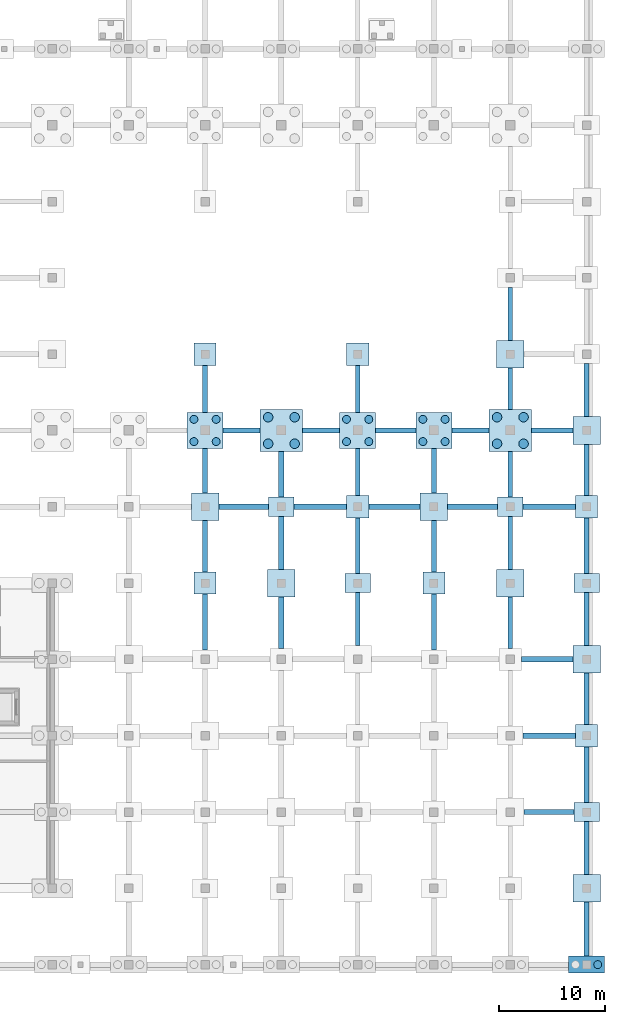
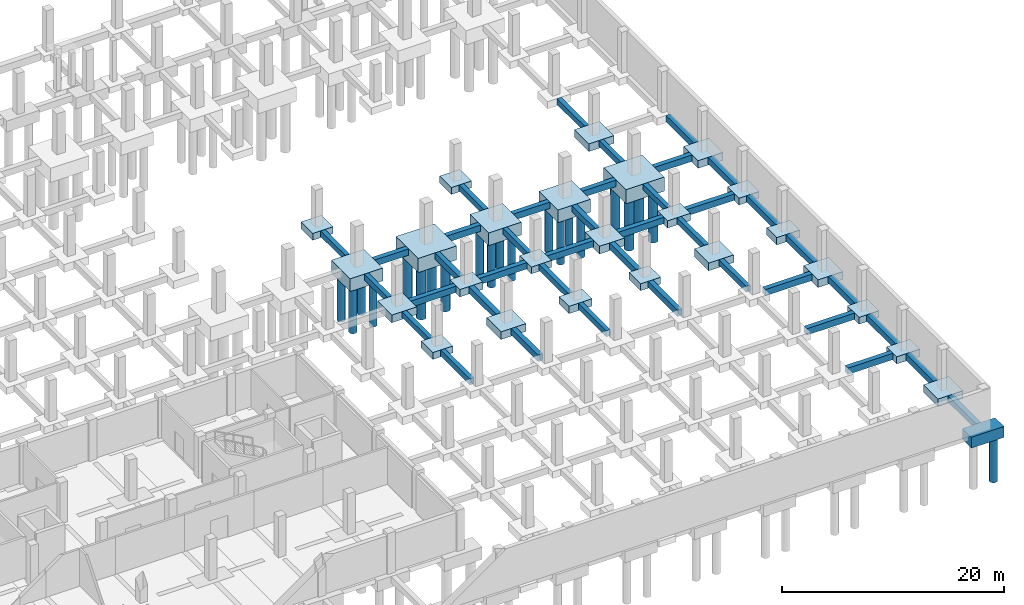
# One storey, part 12 of 22: 66 footings, 21 piles.
"""IFC4 building model written with IfcOpenShell, lengths in metres."""

from ifc_helpers import new_model, si_unit, direction, frame, origin, origin_2d, place, context, subcontext, project, spatial, polyline, rectangle, circle, outline, extrude, material, material_profile, profile_set, type_object, element, save


model = new_model("IFC4")

# Units and contexts
model_context = context("Model", 3, precision=1e-05, world=origin(), true_north=direction((0.0, 1.0)))
body_context = subcontext(model_context, "Body", "Model", "MODEL_VIEW")
ifc_project = project(units=[si_unit("LENGTHUNIT", "METRE"), si_unit("AREAUNIT", "SQUARE_METRE"), si_unit("VOLUMEUNIT", "CUBIC_METRE"), si_unit("PLANEANGLEUNIT", "RADIAN"), si_unit("MASSUNIT", "GRAM", prefix="KILO")], contexts=[model_context])

# Site, building, storey
site_placement = place(None, origin())
site = spatial("IfcSite", under=ifc_project, at=site_placement, CompositionType="ELEMENT")
building_placement = place(site_placement, origin())
building = spatial("IfcBuilding", under=site, at=building_placement, Name="Sardonyx Promenade Sports Hall", CompositionType="ELEMENT")
storey_placement = place(building_placement, frame((0.0, 0.0, -4.5)))
storey = spatial("IfcBuildingStorey", under=building, at=storey_placement, Name="B1", CompositionType="ELEMENT", Elevation=-4.5)

# Footings
ifc_material_1 = material(Name="Concrete C40/50", Category="concrete")
footing_type_1 = type_object("IfcFootingType", Name="Cap_2P_750", PredefinedType="PILE_CAP", material=ifc_material_1)
footing_1_placement = place(storey_placement, frame((165.60009765625, 0.0, -1.2001953125), z_axis=(0.0, 0.0, 1.0), x_axis=(1.0, 0.0, 0.0)))
element("IfcFooting", 1, at=footing_1_placement, inside=storey, type_object=footing_type_1, Name="Pile cap PC02 at (165.60, 0.00)", PredefinedType="PILE_CAP", context=body_context, shape_type="SweptSolid", body=[
    extrude(rectangle(XDim=3.39990234375, YDim=1.60009765625, at=origin_2d()), origin(), (0.0, 0.0, 1.0), 1.199951171875),
])
ifc_material_2 = material(Name="Concrete C40/50", Category="concrete")
footing_type_2 = type_object("IfcFootingType", Name="Cap_4P_750", PredefinedType="PILE_CAP", material=ifc_material_2)
for number, where, z_axis, x_axis, name in (
    (2, (129.60009765625, 50.39990234375, -1.39990234375), (0.0, 0.0, 1.0), (1.0, 0.0, 0.0), "Pile cap PC04 at (129.60, 50.40)"),
    (3, (144.0, 50.39990234375, -1.39990234375), (0.0, 0.0, 1.0), (1.0, 0.0, 0.0), "Pile cap PC04 at (144.00, 50.40)"),
    (4, (151.199951171875, 50.39990234375, -1.39990234375), (0.0, 0.0, 1.0), (1.0, 0.0, 0.0), "Pile cap PC04 at (151.20, 50.40)"),
):
    element("IfcFooting", number, at=place(storey_placement, frame(where, z_axis=z_axis, x_axis=x_axis)), inside=storey, type_object=footing_type_2, Name=name, PredefinedType="PILE_CAP", context=body_context, shape_type="SweptSolid", body=[
        extrude(rectangle(XDim=3.39990234375, YDim=3.39990234375, at=origin_2d()), origin(), (0.0, 0.0, 1.0), 1.39990234375),
    ])
ifc_material_3 = material(Name="Concrete C40/50", Category="concrete")
footing_type_3 = type_object("IfcFootingType", Name="Cap_4P_900", PredefinedType="PILE_CAP", material=ifc_material_3)
for number, where, z_axis, x_axis, name in (
    (5, (136.800048828125, 50.39990234375, -1.5498046875), (0.0, 0.0, 1.0), (1.0, 0.0, 0.0), "Pile cap PC03 at (136.80, 50.40)"),
    (6, (158.39990234375, 50.39990234375, -1.5498046875), (0.0, 0.0, 1.0), (1.0, 0.0, 0.0), "Pile cap PC03 at (158.40, 50.40)"),
):
    element("IfcFooting", number, at=place(storey_placement, frame(where, z_axis=z_axis, x_axis=x_axis)), inside=storey, type_object=footing_type_3, Name=name, PredefinedType="PILE_CAP", context=body_context, shape_type="SweptSolid", body=[
        extrude(rectangle(XDim=4.0, YDim=4.0, at=origin_2d()), origin(), (0.0, 0.0, 1.0), 1.550048828125),
    ])
ifc_material_4 = material(Name="Concrete C40/50", Category="concrete")
footing_type_4 = type_object("IfcFootingType", Name="Ftg_Beam_450x650", PredefinedType="FOOTING_BEAM", material=ifc_material_4)
footing_2_placement = place(storey_placement, frame((0.0, 0.0, -0.64990234375)))
element("IfcFooting", 7, at=footing_2_placement, inside=storey, type_object=footing_type_4, Name="Ground tie beam GB03 #391", PredefinedType="FOOTING_BEAM", context=body_context, shape_type="SweptSolid", body=[
    extrude(outline(polyline([(129.375, 29.699951171875), (129.824951171875, 29.699951171875), (129.824951171875, 34.949951171875), (129.375, 34.949951171875), (129.375, 29.699951171875)])), origin(), (0.0, 0.0, 1.0), 0.64990234375),
])
footing_3_placement = place(storey_placement, frame((0.0, 0.0, -0.64990234375)))
element("IfcFooting", 8, at=footing_3_placement, inside=storey, type_object=footing_type_4, Name="Ground tie beam GB03 #392", PredefinedType="FOOTING_BEAM", context=body_context, shape_type="SweptSolid", body=[
    extrude(outline(polyline([(129.375, 37.050048828125), (129.824951171875, 37.050048828125), (129.824951171875, 41.89990234375), (129.375, 41.89990234375), (129.375, 37.050048828125)])), origin(), (0.0, 0.0, 1.0), 0.64990234375),
])
footing_4_placement = place(storey_placement, frame((0.0, 0.0, -0.64990234375)))
element("IfcFooting", 9, at=footing_4_placement, inside=storey, type_object=footing_type_4, Name="Ground tie beam GB03 #393", PredefinedType="FOOTING_BEAM", context=body_context, shape_type="SweptSolid", body=[
    extrude(outline(polyline([(129.375, 44.5), (129.824951171875, 44.5), (129.824951171875, 48.699951171875), (129.375, 48.699951171875), (129.375, 44.5)])), origin(), (0.0, 0.0, 1.0), 0.64990234375),
])
footing_5_placement = place(storey_placement, frame((0.0, 0.0, -0.64990234375)))
element("IfcFooting", 10, at=footing_5_placement, inside=storey, type_object=footing_type_4, Name="Ground tie beam GB03 #394", PredefinedType="FOOTING_BEAM", context=body_context, shape_type="SweptSolid", body=[
    extrude(outline(polyline([(129.375, 52.10009765625), (129.824951171875, 52.10009765625), (129.824951171875, 56.550048828125), (129.375, 56.550048828125), (129.375, 52.10009765625)])), origin(), (0.0, 0.0, 1.0), 0.64990234375),
])
footing_6_placement = place(storey_placement, frame((0.0, 0.0, -0.64990234375)))
element("IfcFooting", 11, at=footing_6_placement, inside=storey, type_object=footing_type_4, Name="Ground tie beam GB03 #411", PredefinedType="FOOTING_BEAM", context=body_context, shape_type="SweptSolid", body=[
    extrude(outline(polyline([(143.77490234375, 30.10009765625), (144.22509765625, 30.10009765625), (144.22509765625, 35.10009765625), (143.77490234375, 35.10009765625), (143.77490234375, 30.10009765625)])), origin(), (0.0, 0.0, 1.0), 0.64990234375),
])
footing_7_placement = place(storey_placement, frame((0.0, 0.0, -0.64990234375)))
element("IfcFooting", 12, at=footing_7_placement, inside=storey, type_object=footing_type_4, Name="Ground tie beam GB03 #412", PredefinedType="FOOTING_BEAM", context=body_context, shape_type="SweptSolid", body=[
    extrude(outline(polyline([(143.77490234375, 36.89990234375), (144.22509765625, 36.89990234375), (144.22509765625, 42.14990234375), (143.77490234375, 42.14990234375), (143.77490234375, 36.89990234375)])), origin(), (0.0, 0.0, 1.0), 0.64990234375),
])
footing_8_placement = place(storey_placement, frame((0.0, 0.0, -0.64990234375)))
element("IfcFooting", 13, at=footing_8_placement, inside=storey, type_object=footing_type_4, Name="Ground tie beam GB03 #413", PredefinedType="FOOTING_BEAM", context=body_context, shape_type="SweptSolid", body=[
    extrude(outline(polyline([(143.77490234375, 44.25), (144.22509765625, 44.25), (144.22509765625, 48.699951171875), (143.77490234375, 48.699951171875), (143.77490234375, 44.25)])), origin(), (0.0, 0.0, 1.0), 0.64990234375),
])
footing_9_placement = place(storey_placement, frame((0.0, 0.0, -0.64990234375)))
element("IfcFooting", 14, at=footing_9_placement, inside=storey, type_object=footing_type_4, Name="Ground tie beam GB03 #414", PredefinedType="FOOTING_BEAM", context=body_context, shape_type="SweptSolid", body=[
    extrude(outline(polyline([(143.77490234375, 52.10009765625), (144.22509765625, 52.10009765625), (144.22509765625, 56.550048828125), (143.77490234375, 56.550048828125), (143.77490234375, 52.10009765625)])), origin(), (0.0, 0.0, 1.0), 0.64990234375),
])
footing_10_placement = place(storey_placement, frame((0.0, 0.0, -0.64990234375)))
element("IfcFooting", 15, at=footing_10_placement, inside=storey, type_object=footing_type_4, Name="Ground tie beam GB03 #431", PredefinedType="FOOTING_BEAM", context=body_context, shape_type="SweptSolid", body=[
    extrude(outline(polyline([(158.175048828125, 29.85009765625), (158.625, 29.85009765625), (158.625, 34.699951171875), (158.175048828125, 34.699951171875), (158.175048828125, 29.85009765625)])), origin(), (0.0, 0.0, 1.0), 0.64990234375),
])
footing_11_placement = place(storey_placement, frame((0.0, 0.0, -0.64990234375)))
element("IfcFooting", 16, at=footing_11_placement, inside=storey, type_object=footing_type_4, Name="Ground tie beam GB03 #432", PredefinedType="FOOTING_BEAM", context=body_context, shape_type="SweptSolid", body=[
    extrude(outline(polyline([(158.175048828125, 37.300048828125), (158.625, 37.300048828125), (158.625, 42.300048828125), (158.175048828125, 42.300048828125), (158.175048828125, 37.300048828125)])), origin(), (0.0, 0.0, 1.0), 0.64990234375),
])
footing_12_placement = place(storey_placement, frame((0.0, 0.0, -0.64990234375)))
element("IfcFooting", 17, at=footing_12_placement, inside=storey, type_object=footing_type_4, Name="Ground tie beam GB03 #433", PredefinedType="FOOTING_BEAM", context=body_context, shape_type="SweptSolid", body=[
    extrude(outline(polyline([(158.175048828125, 44.10009765625), (158.625, 44.10009765625), (158.625, 48.39990234375), (158.175048828125, 48.39990234375), (158.175048828125, 44.10009765625)])), origin(), (0.0, 0.0, 1.0), 0.64990234375),
])
footing_13_placement = place(storey_placement, frame((0.0, 0.0, -0.64990234375)))
element("IfcFooting", 18, at=footing_13_placement, inside=storey, type_object=footing_type_4, Name="Ground tie beam GB03 #434", PredefinedType="FOOTING_BEAM", context=body_context, shape_type="SweptSolid", body=[
    extrude(outline(polyline([(158.175048828125, 52.39990234375), (158.625, 52.39990234375), (158.625, 56.300048828125), (158.175048828125, 56.300048828125), (158.175048828125, 52.39990234375)])), origin(), (0.0, 0.0, 1.0), 0.64990234375),
])
footing_14_placement = place(storey_placement, frame((0.0, 0.0, -0.64990234375)))
element("IfcFooting", 19, at=footing_14_placement, inside=storey, type_object=footing_type_4, Name="Ground tie beam GB03 #435", PredefinedType="FOOTING_BEAM", context=body_context, shape_type="SweptSolid", body=[
    extrude(outline(polyline([(158.175048828125, 58.89990234375), (158.625, 58.89990234375), (158.625, 63.89990234375), (158.175048828125, 63.89990234375), (158.175048828125, 58.89990234375)])), origin(), (0.0, 0.0, 1.0), 0.64990234375),
])
ifc_material_5 = material(Name="Concrete C40/50", Category="concrete")
footing_type_5 = type_object("IfcFootingType", Name="Ftg_Beam_500x700", PredefinedType="FOOTING_BEAM", material=ifc_material_5)
footing_15_placement = place(storey_placement, frame((0.0, 0.0, -0.699951171875)))
element("IfcFooting", 20, at=footing_15_placement, inside=storey, type_object=footing_type_5, Name="Ground tie beam GB01 #46", PredefinedType="FOOTING_BEAM", context=body_context, shape_type="SweptSolid", body=[
    extrude(outline(polyline([(159.699951171875, 14.14990234375), (164.39990234375, 14.14990234375), (164.39990234375, 14.64990234375), (159.699951171875, 14.64990234375), (159.699951171875, 14.14990234375)])), origin(), (0.0, 0.0, 1.0), 0.699951171875),
])
footing_16_placement = place(storey_placement, frame((0.0, 0.0, -0.699951171875)))
element("IfcFooting", 21, at=footing_16_placement, inside=storey, type_object=footing_type_5, Name="Ground tie beam GB01 #69", PredefinedType="FOOTING_BEAM", context=body_context, shape_type="SweptSolid", body=[
    extrude(outline(polyline([(159.60009765625, 21.35009765625), (164.550048828125, 21.35009765625), (164.550048828125, 21.85009765625), (159.60009765625, 21.85009765625), (159.60009765625, 21.35009765625)])), origin(), (0.0, 0.0, 1.0), 0.699951171875),
])
footing_17_placement = place(storey_placement, frame((0.0, 0.0, -0.699951171875)))
element("IfcFooting", 22, at=footing_17_placement, inside=storey, type_object=footing_type_5, Name="Ground tie beam GB01 #92", PredefinedType="FOOTING_BEAM", context=body_context, shape_type="SweptSolid", body=[
    extrude(outline(polyline([(159.449951171875, 28.550048828125), (164.300048828125, 28.550048828125), (164.300048828125, 29.050048828125), (159.449951171875, 29.050048828125), (159.449951171875, 28.550048828125)])), origin(), (0.0, 0.0, 1.0), 0.699951171875),
])
footing_18_placement = place(storey_placement, frame((0.0, 0.0, -0.699951171875)))
element("IfcFooting", 23, at=footing_18_placement, inside=storey, type_object=footing_type_5, Name="Ground tie beam GB01 #108", PredefinedType="FOOTING_BEAM", context=body_context, shape_type="SweptSolid", body=[
    extrude(outline(polyline([(130.89990234375, 42.949951171875), (135.60009765625, 42.949951171875), (135.60009765625, 43.449951171875), (130.89990234375, 43.449951171875), (130.89990234375, 42.949951171875)])), origin(), (0.0, 0.0, 1.0), 0.699951171875),
])
footing_19_placement = place(storey_placement, frame((0.0, 0.0, -0.699951171875)))
element("IfcFooting", 24, at=footing_19_placement, inside=storey, type_object=footing_type_5, Name="Ground tie beam GB01 #109", PredefinedType="FOOTING_BEAM", context=body_context, shape_type="SweptSolid", body=[
    extrude(outline(polyline([(138.0, 42.949951171875), (142.949951171875, 42.949951171875), (142.949951171875, 43.449951171875), (138.0, 43.449951171875), (138.0, 42.949951171875)])), origin(), (0.0, 0.0, 1.0), 0.699951171875),
])
footing_20_placement = place(storey_placement, frame((0.0, 0.0, -0.699951171875)))
element("IfcFooting", 25, at=footing_20_placement, inside=storey, type_object=footing_type_5, Name="Ground tie beam GB01 #110", PredefinedType="FOOTING_BEAM", context=body_context, shape_type="SweptSolid", body=[
    extrude(outline(polyline([(145.050048828125, 42.949951171875), (149.89990234375, 42.949951171875), (149.89990234375, 43.449951171875), (145.050048828125, 43.449951171875), (145.050048828125, 42.949951171875)])), origin(), (0.0, 0.0, 1.0), 0.699951171875),
])
footing_21_placement = place(storey_placement, frame((0.0, 0.0, -0.699951171875)))
element("IfcFooting", 26, at=footing_21_placement, inside=storey, type_object=footing_type_5, Name="Ground tie beam GB01 #111", PredefinedType="FOOTING_BEAM", context=body_context, shape_type="SweptSolid", body=[
    extrude(outline(polyline([(152.5, 42.949951171875), (157.199951171875, 42.949951171875), (157.199951171875, 43.449951171875), (152.5, 43.449951171875), (152.5, 42.949951171875)])), origin(), (0.0, 0.0, 1.0), 0.699951171875),
])
footing_22_placement = place(storey_placement, frame((0.0, 0.0, -0.699951171875)))
element("IfcFooting", 27, at=footing_22_placement, inside=storey, type_object=footing_type_5, Name="Ground tie beam GB01 #112", PredefinedType="FOOTING_BEAM", context=body_context, shape_type="SweptSolid", body=[
    extrude(outline(polyline([(159.60009765625, 42.949951171875), (164.550048828125, 42.949951171875), (164.550048828125, 43.449951171875), (159.60009765625, 43.449951171875), (159.60009765625, 42.949951171875)])), origin(), (0.0, 0.0, 1.0), 0.699951171875),
])
footing_23_placement = place(storey_placement, frame((0.0, 0.0, -0.699951171875)))
element("IfcFooting", 28, at=footing_23_placement, inside=storey, type_object=footing_type_5, Name="Ground tie beam GB01 #121", PredefinedType="FOOTING_BEAM", context=body_context, shape_type="SweptSolid", body=[
    extrude(outline(polyline([(131.300048828125, 50.14990234375), (134.800048828125, 50.14990234375), (134.800048828125, 50.64990234375), (131.300048828125, 50.64990234375), (131.300048828125, 50.14990234375)])), origin(), (0.0, 0.0, 1.0), 0.699951171875),
])
footing_24_placement = place(storey_placement, frame((0.0, 0.0, -0.699951171875)))
element("IfcFooting", 29, at=footing_24_placement, inside=storey, type_object=footing_type_5, Name="Ground tie beam GB01 #122", PredefinedType="FOOTING_BEAM", context=body_context, shape_type="SweptSolid", body=[
    extrude(outline(polyline([(138.800048828125, 50.14990234375), (142.300048828125, 50.14990234375), (142.300048828125, 50.64990234375), (138.800048828125, 50.64990234375), (138.800048828125, 50.14990234375)])), origin(), (0.0, 0.0, 1.0), 0.699951171875),
])
footing_25_placement = place(storey_placement, frame((0.0, 0.0, -0.699951171875)))
element("IfcFooting", 30, at=footing_25_placement, inside=storey, type_object=footing_type_5, Name="Ground tie beam GB01 #123", PredefinedType="FOOTING_BEAM", context=body_context, shape_type="SweptSolid", body=[
    extrude(outline(polyline([(145.699951171875, 50.14990234375), (149.5, 50.14990234375), (149.5, 50.64990234375), (145.699951171875, 50.64990234375), (145.699951171875, 50.14990234375)])), origin(), (0.0, 0.0, 1.0), 0.699951171875),
])
footing_26_placement = place(storey_placement, frame((0.0, 0.0, -0.699951171875)))
element("IfcFooting", 31, at=footing_26_placement, inside=storey, type_object=footing_type_5, Name="Ground tie beam GB01 #124", PredefinedType="FOOTING_BEAM", context=body_context, shape_type="SweptSolid", body=[
    extrude(outline(polyline([(152.89990234375, 50.14990234375), (156.39990234375, 50.14990234375), (156.39990234375, 50.64990234375), (152.89990234375, 50.64990234375), (152.89990234375, 50.14990234375)])), origin(), (0.0, 0.0, 1.0), 0.699951171875),
])
footing_27_placement = place(storey_placement, frame((0.0, 0.0, -0.699951171875)))
element("IfcFooting", 32, at=footing_27_placement, inside=storey, type_object=footing_type_5, Name="Ground tie beam GB01 #125", PredefinedType="FOOTING_BEAM", context=body_context, shape_type="SweptSolid", body=[
    extrude(outline(polyline([(160.39990234375, 50.14990234375), (164.300048828125, 50.14990234375), (164.300048828125, 50.64990234375), (160.39990234375, 50.64990234375), (160.39990234375, 50.14990234375)])), origin(), (0.0, 0.0, 1.0), 0.699951171875),
])
footing_28_placement = place(storey_placement, frame((0.0, 0.0, -0.699951171875)))
element("IfcFooting", 33, at=footing_28_placement, inside=storey, type_object=footing_type_5, Name="Ground tie beam GB01 #402", PredefinedType="FOOTING_BEAM", context=body_context, shape_type="SweptSolid", body=[
    extrude(outline(polyline([(136.550048828125, 29.85009765625), (137.050048828125, 29.85009765625), (137.050048828125, 34.699951171875), (136.550048828125, 34.699951171875), (136.550048828125, 29.85009765625)])), origin(), (0.0, 0.0, 1.0), 0.699951171875),
])
footing_29_placement = place(storey_placement, frame((0.0, 0.0, -0.699951171875)))
element("IfcFooting", 34, at=footing_29_placement, inside=storey, type_object=footing_type_5, Name="Ground tie beam GB01 #403", PredefinedType="FOOTING_BEAM", context=body_context, shape_type="SweptSolid", body=[
    extrude(outline(polyline([(136.550048828125, 37.300048828125), (137.050048828125, 37.300048828125), (137.050048828125, 42.300048828125), (136.550048828125, 42.300048828125), (136.550048828125, 37.300048828125)])), origin(), (0.0, 0.0, 1.0), 0.699951171875),
])
footing_30_placement = place(storey_placement, frame((0.0, 0.0, -0.699951171875)))
element("IfcFooting", 35, at=footing_30_placement, inside=storey, type_object=footing_type_5, Name="Ground tie beam GB01 #404", PredefinedType="FOOTING_BEAM", context=body_context, shape_type="SweptSolid", body=[
    extrude(outline(polyline([(136.550048828125, 44.10009765625), (137.050048828125, 44.10009765625), (137.050048828125, 48.39990234375), (136.550048828125, 48.39990234375), (136.550048828125, 44.10009765625)])), origin(), (0.0, 0.0, 1.0), 0.699951171875),
])
footing_31_placement = place(storey_placement, frame((0.0, 0.0, -0.699951171875)))
element("IfcFooting", 36, at=footing_31_placement, inside=storey, type_object=footing_type_5, Name="Ground tie beam GB01 #422", PredefinedType="FOOTING_BEAM", context=body_context, shape_type="SweptSolid", body=[
    extrude(outline(polyline([(150.949951171875, 29.699951171875), (151.449951171875, 29.699951171875), (151.449951171875, 34.949951171875), (150.949951171875, 34.949951171875), (150.949951171875, 29.699951171875)])), origin(), (0.0, 0.0, 1.0), 0.699951171875),
])
footing_32_placement = place(storey_placement, frame((0.0, 0.0, -0.699951171875)))
element("IfcFooting", 37, at=footing_32_placement, inside=storey, type_object=footing_type_5, Name="Ground tie beam GB01 #423", PredefinedType="FOOTING_BEAM", context=body_context, shape_type="SweptSolid", body=[
    extrude(outline(polyline([(150.949951171875, 37.050048828125), (151.449951171875, 37.050048828125), (151.449951171875, 41.89990234375), (150.949951171875, 41.89990234375), (150.949951171875, 37.050048828125)])), origin(), (0.0, 0.0, 1.0), 0.699951171875),
])
footing_33_placement = place(storey_placement, frame((0.0, 0.0, -0.699951171875)))
element("IfcFooting", 38, at=footing_33_placement, inside=storey, type_object=footing_type_5, Name="Ground tie beam GB01 #424", PredefinedType="FOOTING_BEAM", context=body_context, shape_type="SweptSolid", body=[
    extrude(outline(polyline([(150.949951171875, 44.5), (151.449951171875, 44.5), (151.449951171875, 48.699951171875), (150.949951171875, 48.699951171875), (150.949951171875, 44.5)])), origin(), (0.0, 0.0, 1.0), 0.699951171875),
])
footing_34_placement = place(storey_placement, frame((0.0, 0.0, -0.699951171875)))
element("IfcFooting", 39, at=footing_34_placement, inside=storey, type_object=footing_type_5, Name="Ground tie beam GB01 #440", PredefinedType="FOOTING_BEAM", context=body_context, shape_type="SweptSolid", body=[
    extrude(outline(polyline([(165.35009765625, 0.800048828125), (165.85009765625, 0.800048828125), (165.85009765625, 5.89990234375), (165.35009765625, 5.89990234375), (165.35009765625, 0.800048828125)])), origin(), (0.0, 0.0, 1.0), 0.699951171875),
])
footing_35_placement = place(storey_placement, frame((0.0, 0.0, -0.699951171875)))
element("IfcFooting", 40, at=footing_35_placement, inside=storey, type_object=footing_type_5, Name="Ground tie beam GB01 #441", PredefinedType="FOOTING_BEAM", context=body_context, shape_type="SweptSolid", body=[
    extrude(outline(polyline([(165.35009765625, 8.5), (165.85009765625, 8.5), (165.85009765625, 13.5), (165.35009765625, 13.5), (165.35009765625, 8.5)])), origin(), (0.0, 0.0, 1.0), 0.699951171875),
])
footing_36_placement = place(storey_placement, frame((0.0, 0.0, -0.699951171875)))
element("IfcFooting", 41, at=footing_36_placement, inside=storey, type_object=footing_type_5, Name="Ground tie beam GB01 #442", PredefinedType="FOOTING_BEAM", context=body_context, shape_type="SweptSolid", body=[
    extrude(outline(polyline([(165.35009765625, 15.300048828125), (165.85009765625, 15.300048828125), (165.85009765625, 20.550048828125), (165.35009765625, 20.550048828125), (165.35009765625, 15.300048828125)])), origin(), (0.0, 0.0, 1.0), 0.699951171875),
])
footing_37_placement = place(storey_placement, frame((0.0, 0.0, -0.699951171875)))
element("IfcFooting", 42, at=footing_37_placement, inside=storey, type_object=footing_type_5, Name="Ground tie beam GB01 #443", PredefinedType="FOOTING_BEAM", context=body_context, shape_type="SweptSolid", body=[
    extrude(outline(polyline([(165.35009765625, 22.64990234375), (165.85009765625, 22.64990234375), (165.85009765625, 27.5), (165.35009765625, 27.5), (165.35009765625, 22.64990234375)])), origin(), (0.0, 0.0, 1.0), 0.699951171875),
])
footing_38_placement = place(storey_placement, frame((0.0, 0.0, -0.699951171875)))
element("IfcFooting", 43, at=footing_38_placement, inside=storey, type_object=footing_type_5, Name="Ground tie beam GB01 #444", PredefinedType="FOOTING_BEAM", context=body_context, shape_type="SweptSolid", body=[
    extrude(outline(polyline([(165.35009765625, 30.10009765625), (165.85009765625, 30.10009765625), (165.85009765625, 35.10009765625), (165.35009765625, 35.10009765625), (165.35009765625, 30.10009765625)])), origin(), (0.0, 0.0, 1.0), 0.699951171875),
])
footing_39_placement = place(storey_placement, frame((0.0, 0.0, -0.699951171875)))
element("IfcFooting", 44, at=footing_39_placement, inside=storey, type_object=footing_type_5, Name="Ground tie beam GB01 #445", PredefinedType="FOOTING_BEAM", context=body_context, shape_type="SweptSolid", body=[
    extrude(outline(polyline([(165.35009765625, 36.89990234375), (165.85009765625, 36.89990234375), (165.85009765625, 42.14990234375), (165.35009765625, 42.14990234375), (165.35009765625, 36.89990234375)])), origin(), (0.0, 0.0, 1.0), 0.699951171875),
])
footing_40_placement = place(storey_placement, frame((0.0, 0.0, -0.699951171875)))
element("IfcFooting", 45, at=footing_40_placement, inside=storey, type_object=footing_type_5, Name="Ground tie beam GB01 #446", PredefinedType="FOOTING_BEAM", context=body_context, shape_type="SweptSolid", body=[
    extrude(outline(polyline([(165.35009765625, 44.25), (165.85009765625, 44.25), (165.85009765625, 49.10009765625), (165.35009765625, 49.10009765625), (165.35009765625, 44.25)])), origin(), (0.0, 0.0, 1.0), 0.699951171875),
])
footing_41_placement = place(storey_placement, frame((0.0, 0.0, -0.699951171875)))
element("IfcFooting", 46, at=footing_41_placement, inside=storey, type_object=footing_type_5, Name="Ground tie beam GB01 #447", PredefinedType="FOOTING_BEAM", context=body_context, shape_type="SweptSolid", body=[
    extrude(outline(polyline([(165.35009765625, 51.699951171875), (165.85009765625, 51.699951171875), (165.85009765625, 56.699951171875), (165.35009765625, 56.699951171875), (165.35009765625, 51.699951171875)])), origin(), (0.0, 0.0, 1.0), 0.699951171875),
])
ifc_material_6 = material(Name="Concrete C40/50", Category="concrete")
footing_type_6 = type_object("IfcFootingType", Name="Ftg_Pad_2100", PredefinedType="PAD_FOOTING", material=ifc_material_6)
for number, where, z_axis, x_axis, name in (
    (47, (129.60009765625, 36.0, -0.75), (0.0, 0.0, 1.0), (1.0, 0.0, 0.0), "Rock-bearing pad footing PF02 at (129.60, 36.00)"),
    (48, (144.0, 43.199951171875, -0.75), (0.0, 0.0, 1.0), (1.0, 0.0, 0.0), "Rock-bearing pad footing PF02 at (144.00, 43.20)"),
    (49, (151.199951171875, 36.0, -0.75), (0.0, 0.0, 1.0), (1.0, 0.0, 0.0), "Rock-bearing pad footing PF02 at (151.20, 36.00)"),
    (50, (165.60009765625, 21.60009765625, -0.75), (0.0, 0.0, 1.0), (1.0, 0.0, 0.0), "Rock-bearing pad footing PF02 at (165.60, 21.60)"),
    (51, (165.60009765625, 43.199951171875, -0.75), (0.0, 0.0, 1.0), (1.0, 0.0, 0.0), "Rock-bearing pad footing PF02 at (165.60, 43.20)"),
    (52, (129.60009765625, 57.60009765625, -0.75), (0.0, 0.0, 1.0), (1.0, 0.0, 0.0), "Substructure court slab pad footing PF02 #40"),
    (53, (144.0, 57.60009765625, -0.75), (0.0, 0.0, 1.0), (1.0, 0.0, 0.0), "Substructure court slab pad footing PF02 #42"),
):
    element("IfcFooting", number, at=place(storey_placement, frame(where, z_axis=z_axis, x_axis=x_axis)), inside=storey, type_object=footing_type_6, Name=name, PredefinedType="PAD_FOOTING", context=body_context, shape_type="SweptSolid", body=[
        extrude(rectangle(XDim=2.10009765625, YDim=2.10009765625, at=origin_2d()), origin(), (0.0, 0.0, 1.0), 0.75),
    ])
ifc_material_7 = material(Name="Concrete C40/50", Category="concrete")
footing_type_7 = type_object("IfcFootingType", Name="Ftg_Pad_2400x1800", PredefinedType="PAD_FOOTING", material=ifc_material_7)
for number, where, z_axis, x_axis, name in (
    (54, (136.800048828125, 43.199951171875, -0.7998046875), (0.0, 0.0, 1.0), (1.0, 0.0, 0.0), "Rock-bearing pad footing PF03 at (136.80, 43.20)"),
    (55, (144.0, 36.0, -0.7998046875), (0.0, 0.0, 1.0), (1.0, 0.0, 0.0), "Rock-bearing pad footing PF03 at (144.00, 36.00)"),
    (56, (158.39990234375, 43.199951171875, -0.7998046875), (0.0, 0.0, 1.0), (1.0, 0.0, 0.0), "Rock-bearing pad footing PF03 at (158.40, 43.20)"),
    (57, (165.60009765625, 14.39990234375, -0.7998046875), (0.0, 0.0, 1.0), (1.0, 0.0, 0.0), "Rock-bearing pad footing PF03 at (165.60, 14.40)"),
    (58, (165.60009765625, 36.0, -0.7998046875), (0.0, 0.0, 1.0), (1.0, 0.0, 0.0), "Rock-bearing pad footing PF03 at (165.60, 36.00)"),
):
    element("IfcFooting", number, at=place(storey_placement, frame(where, z_axis=z_axis, x_axis=x_axis)), inside=storey, type_object=footing_type_7, Name=name, PredefinedType="PAD_FOOTING", context=body_context, shape_type="SweptSolid", body=[
        extrude(rectangle(XDim=2.39990234375, YDim=1.800048828125, at=origin_2d()), origin(), (0.0, 0.0, 1.0), 0.800048828125),
    ])
ifc_material_8 = material(Name="Concrete C40/50", Category="concrete")
footing_type_8 = type_object("IfcFootingType", Name="Ftg_Pad_2600", PredefinedType="PAD_FOOTING", material=ifc_material_8)
for number, where, z_axis, x_axis, name in (
    (59, (129.60009765625, 43.199951171875, -0.85009765625), (0.0, 0.0, 1.0), (1.0, 0.0, 0.0), "Rock-bearing pad footing PF04 at (129.60, 43.20)"),
    (60, (136.800048828125, 36.0, -0.85009765625), (0.0, 0.0, 1.0), (1.0, 0.0, 0.0), "Rock-bearing pad footing PF04 at (136.80, 36.00)"),
    (61, (151.199951171875, 43.199951171875, -0.85009765625), (0.0, 0.0, 1.0), (1.0, 0.0, 0.0), "Rock-bearing pad footing PF04 at (151.20, 43.20)"),
    (62, (158.39990234375, 36.0, -0.85009765625), (0.0, 0.0, 1.0), (1.0, 0.0, 0.0), "Rock-bearing pad footing PF04 at (158.40, 36.00)"),
    (63, (158.39990234375, 57.60009765625, -0.85009765625), (0.0, 0.0, 1.0), (1.0, 0.0, 0.0), "Rock-bearing pad footing PF04 at (158.40, 57.60)"),
    (64, (165.60009765625, 7.199951171875, -0.85009765625), (0.0, 0.0, 1.0), (1.0, 0.0, 0.0), "Rock-bearing pad footing PF04 at (165.60, 7.20)"),
    (65, (165.60009765625, 28.800048828125, -0.85009765625), (0.0, 0.0, 1.0), (1.0, 0.0, 0.0), "Rock-bearing pad footing PF04 at (165.60, 28.80)"),
    (66, (165.60009765625, 50.39990234375, -0.85009765625), (0.0, 0.0, 1.0), (1.0, 0.0, 0.0), "Rock-bearing pad footing PF04 at (165.60, 50.40)"),
):
    element("IfcFooting", number, at=place(storey_placement, frame(where, z_axis=z_axis, x_axis=x_axis)), inside=storey, type_object=footing_type_8, Name=name, PredefinedType="PAD_FOOTING", context=body_context, shape_type="SweptSolid", body=[
        extrude(rectangle(XDim=2.60009765625, YDim=2.60009765625, at=origin_2d()), origin(), (0.0, 0.0, 1.0), 0.85009765625),
    ])

# Piles
ifc_material_9 = material(Name="Concrete C40/50", Category="concrete")
ifc_material_profile_1 = material_profile(ifc_material_9, circle(Radius=0.375, at=origin_2d()))
ifc_profile_set_1 = profile_set([ifc_material_profile_1], Name="Concrete C40/50")
pile_type_1 = type_object("IfcPileType", Name="Pile_BP750", PredefinedType="BORED", material=ifc_profile_set_1)
for number, where, z_axis, x_axis, name in (
    (67, (128.550048828125, 49.35009765625, -1.300048828125), (0.0, 0.0, -1.0), (1.0, 0.0, 0.0), "Bored pile BP02 #1 under ftg:cap:129.600_50.400"),
    (68, (130.64990234375, 49.35009765625, -1.300048828125), (0.0, 0.0, -1.0), (1.0, 0.0, 0.0), "Bored pile BP02 #2 under ftg:cap:129.600_50.400"),
    (69, (128.550048828125, 51.449951171875, -1.300048828125), (0.0, 0.0, -1.0), (1.0, 0.0, 0.0), "Bored pile BP02 #3 under ftg:cap:129.600_50.400"),
    (70, (130.64990234375, 51.449951171875, -1.300048828125), (0.0, 0.0, -1.0), (1.0, 0.0, 0.0), "Bored pile BP02 #4 under ftg:cap:129.600_50.400"),
    (71, (142.949951171875, 49.35009765625, -1.300048828125), (0.0, 0.0, -1.0), (1.0, 0.0, 0.0), "Bored pile BP02 #1 under ftg:cap:144.000_50.400"),
    (72, (145.050048828125, 49.35009765625, -1.300048828125), (0.0, 0.0, -1.0), (1.0, 0.0, 0.0), "Bored pile BP02 #2 under ftg:cap:144.000_50.400"),
    (73, (142.949951171875, 51.449951171875, -1.300048828125), (0.0, 0.0, -1.0), (1.0, 0.0, 0.0), "Bored pile BP02 #3 under ftg:cap:144.000_50.400"),
    (74, (145.050048828125, 51.449951171875, -1.300048828125), (0.0, 0.0, -1.0), (1.0, 0.0, 0.0), "Bored pile BP02 #4 under ftg:cap:144.000_50.400"),
    (75, (150.14990234375, 49.35009765625, -1.300048828125), (0.0, 0.0, -1.0), (1.0, 0.0, 0.0), "Bored pile BP02 #1 under ftg:cap:151.200_50.400"),
    (76, (152.25, 49.35009765625, -1.300048828125), (0.0, 0.0, -1.0), (1.0, 0.0, 0.0), "Bored pile BP02 #2 under ftg:cap:151.200_50.400"),
    (77, (150.14990234375, 51.449951171875, -1.300048828125), (0.0, 0.0, -1.0), (1.0, 0.0, 0.0), "Bored pile BP02 #3 under ftg:cap:151.200_50.400"),
    (78, (152.25, 51.449951171875, -1.300048828125), (0.0, 0.0, -1.0), (1.0, 0.0, 0.0), "Bored pile BP02 #4 under ftg:cap:151.200_50.400"),
    (79, (166.64990234375, 0.0, -1.10009765625), (0.0, 0.0, -1.0), (1.0, 0.0, 0.0), "Bored pile BP02 #2 under ftg:cap:165.600_0.000"),
):
    element("IfcPile", number, at=place(storey_placement, frame(where, z_axis=z_axis, x_axis=x_axis)), inside=storey, type_object=pile_type_1, Name=name, PredefinedType="BORED", context=body_context, shape_type="SweptSolid", body=[
        extrude(circle(Radius=0.375, at=origin_2d()), origin(), (0.0, 0.0, 1.0), 5.10009765625),
    ])
ifc_material_10 = material(Name="Concrete C40/50", Category="concrete")
ifc_material_profile_2 = material_profile(ifc_material_10, circle(Radius=0.449951171875, at=origin_2d()))
ifc_profile_set_2 = profile_set([ifc_material_profile_2], Name="Concrete C40/50")
pile_type_2 = type_object("IfcPileType", Name="Pile_BP900", PredefinedType="BORED", material=ifc_profile_set_2)
for number, where, z_axis, x_axis, name in (
    (80, (135.550048828125, 49.14990234375, -1.449951171875), (0.0, 0.0, -1.0), (1.0, 0.0, 0.0), "Bored pile BP05 #1 under ftg:cap:136.800_50.400"),
    (81, (138.050048828125, 49.14990234375, -1.449951171875), (0.0, 0.0, -1.0), (1.0, 0.0, 0.0), "Bored pile BP05 #2 under ftg:cap:136.800_50.400"),
    (82, (135.550048828125, 51.64990234375, -1.449951171875), (0.0, 0.0, -1.0), (1.0, 0.0, 0.0), "Bored pile BP05 #3 under ftg:cap:136.800_50.400"),
    (83, (138.050048828125, 51.64990234375, -1.449951171875), (0.0, 0.0, -1.0), (1.0, 0.0, 0.0), "Bored pile BP05 #4 under ftg:cap:136.800_50.400"),
    (84, (157.14990234375, 49.14990234375, -1.449951171875), (0.0, 0.0, -1.0), (1.0, 0.0, 0.0), "Bored pile BP05 #1 under ftg:cap:158.400_50.400"),
    (85, (159.64990234375, 49.14990234375, -1.449951171875), (0.0, 0.0, -1.0), (1.0, 0.0, 0.0), "Bored pile BP05 #2 under ftg:cap:158.400_50.400"),
    (86, (157.14990234375, 51.64990234375, -1.449951171875), (0.0, 0.0, -1.0), (1.0, 0.0, 0.0), "Bored pile BP05 #3 under ftg:cap:158.400_50.400"),
    (87, (159.64990234375, 51.64990234375, -1.449951171875), (0.0, 0.0, -1.0), (1.0, 0.0, 0.0), "Bored pile BP05 #4 under ftg:cap:158.400_50.400"),
):
    element("IfcPile", number, at=place(storey_placement, frame(where, z_axis=z_axis, x_axis=x_axis)), inside=storey, type_object=pile_type_2, Name=name, PredefinedType="BORED", context=body_context, shape_type="SweptSolid", body=[
        extrude(circle(Radius=0.449951171875, at=origin_2d()), origin(), (0.0, 0.0, 1.0), 5.699951171875),
    ])

save(model, "model.ifc")
